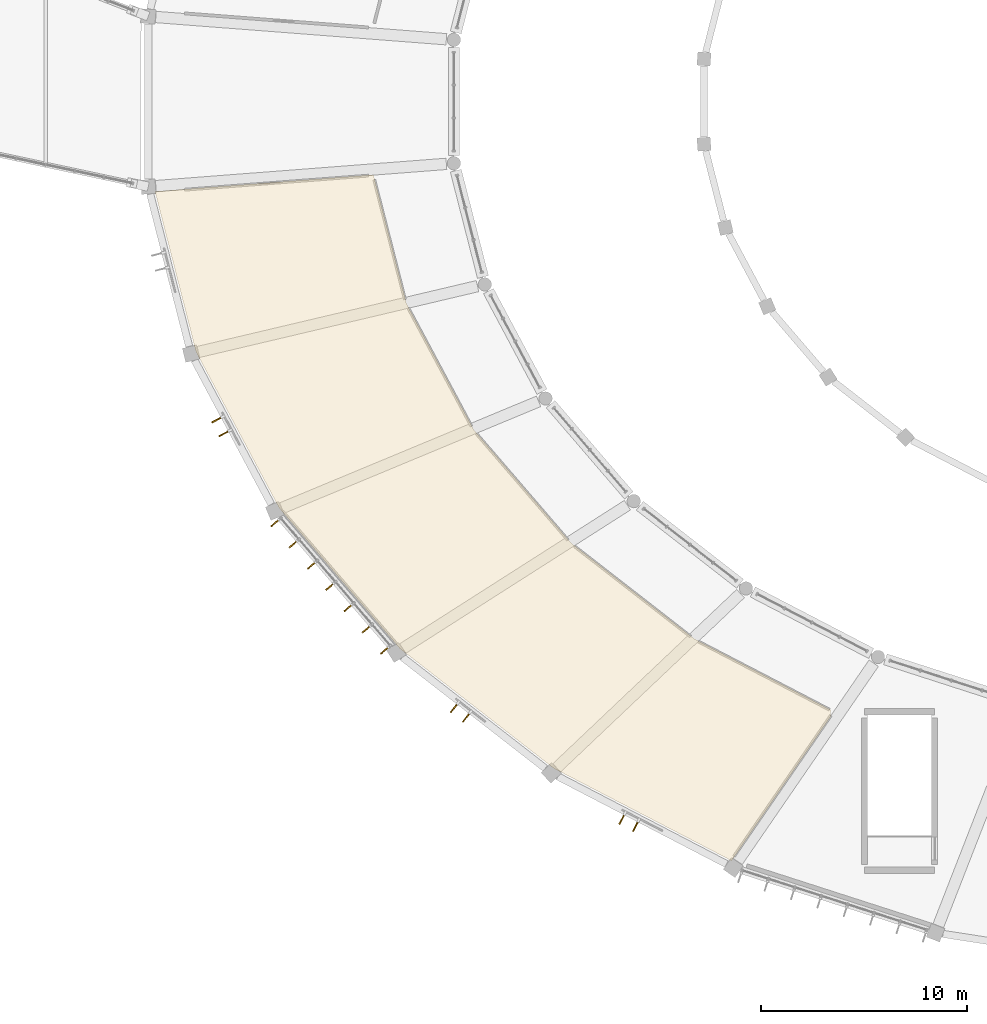
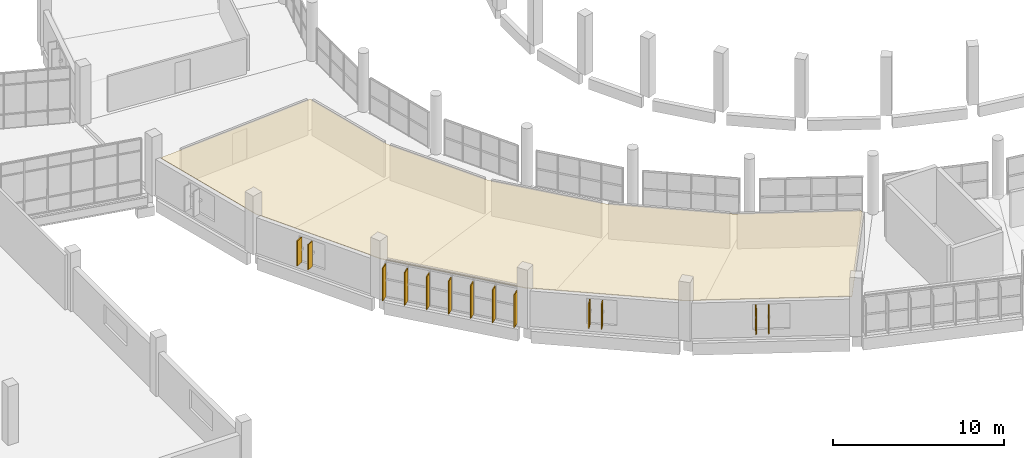
# One storey, part 122 of 142: 13 shading devices, 1 covering.
"""IFC4 building model written with IfcOpenShell, lengths in metres."""

from ifc_helpers import new_model, si_unit, direction, frame, origin, origin_2d, place, context, subcontext, project, spatial, polyline, rectangle, outline, extrude, material, layer, layer_set, type_object, element, save


model = new_model("IFC4")

# Units and contexts
model_context = context("Model", 3, precision=1e-05, world=origin(), true_north=direction((0.0, 1.0)))
body_context = subcontext(model_context, "Body", "Model", "MODEL_VIEW")
ifc_project = project(units=[si_unit("LENGTHUNIT", "METRE"), si_unit("AREAUNIT", "SQUARE_METRE"), si_unit("VOLUMEUNIT", "CUBIC_METRE"), si_unit("PLANEANGLEUNIT", "RADIAN"), si_unit("MASSUNIT", "GRAM", prefix="KILO")], contexts=[model_context])

# Site, building, storey
site_placement = place(None, origin())
site = spatial("IfcSite", under=ifc_project, at=site_placement, CompositionType="ELEMENT")
building_placement = place(site_placement, origin())
building = spatial("IfcBuilding", under=site, at=building_placement, Name="Corvandel Quay Wholesale Market", CompositionType="ELEMENT")
storey_placement = place(building_placement, frame((0.0, 0.0, 10.800048828125)))
storey = spatial("IfcBuildingStorey", under=building, at=storey_placement, Name="L02", CompositionType="ELEMENT", Elevation=10.800048828125)

# Covering
ifc_material_1 = material(Name="Perforated powder-coated aluminium acoustic panel", Category="aluminium")
ifc_layer = layer(ifc_material_1, 0.044921875)
ifc_layer_set = layer_set([ifc_layer], Name="Perforated powder-coated aluminium acoustic panel")
covering_type = type_object("IfcCoveringType", Name="Perforated Acoustic Baffle Ceiling CLG01", PredefinedType="CEILING", material=ifc_layer_set)
covering_placement = place(storey_placement, frame((0.0, 0.0, 2.39990234375)))
element("IfcCovering", 1, at=covering_placement, inside=storey, type_object=covering_type, Name="Suspended Ceiling CLG-007", PredefinedType="CEILING", context=body_context, shape_type="SweptSolid", body=[
    extrude(outline(polyline([(79.718017578125, 9.595947265625), (79.717041015625, 9.596923828125), (72.237060546875, 15.4150390625), (72.235107421875, 15.4169921875), (72.23388671875, 15.41796875), (66.364013671875, 22.251953125), (66.362060546875, 22.25390625), (66.361083984375, 22.256103515625), (62.320068359375, 29.842041015625), (62.319091796875, 29.843994140625), (62.319091796875, 29.845947265625), (60.3349609375, 37.60400390625), (60.333984375, 37.60595703125), (60.333984375, 37.60791015625), (60.333984375, 37.610107421875), (60.333984375, 37.612060546875), (60.3349609375, 37.614013671875), (60.3349609375, 37.615966796875), (60.3359375, 37.616943359375), (60.3369140625, 37.618896484375), (60.337890625, 37.62109375), (60.339111328125, 37.6220703125), (60.340087890625, 37.6240234375), (60.342041015625, 37.625), (60.343017578125, 37.6259765625), (60.344970703125, 37.626953125), (60.346923828125, 37.6279296875), (60.34912109375, 37.6279296875), (60.35107421875, 37.62890625), (60.35205078125, 37.62890625), (70.922119140625, 38.43896484375), (70.924072265625, 38.43896484375), (70.926025390625, 38.43896484375), (70.927978515625, 38.43896484375), (70.929931640625, 38.43798828125), (70.931884765625, 38.43701171875), (70.93408203125, 38.43603515625), (70.93603515625, 38.43505859375), (70.93701171875, 38.43408203125), (70.93896484375, 38.43310546875), (70.93994140625, 38.430908203125), (70.94091796875, 38.428955078125), (70.94189453125, 38.427978515625), (70.943115234375, 38.426025390625), (70.943115234375, 38.424072265625), (72.5439453125, 32.177978515625), (75.821044921875, 26.0380859375), (80.548095703125, 20.5419921875), (86.5390625, 15.885009765625), (93.16796875, 12.43896484375), (93.158935546875, 12.3759765625), (93.14990234375, 12.199951171875), (93.14990234375, 12.1201171875), (88.345947265625, 5.132080078125), (88.344970703125, 5.1298828125), (88.343994140625, 5.12890625), (88.343017578125, 5.126953125), (88.341064453125, 5.1259765625), (88.339111328125, 5.125), (88.337890625, 5.1240234375), (88.3359375, 5.1240234375), (88.333984375, 5.123046875), (88.33203125, 5.123046875), (88.330078125, 5.123046875), (88.327880859375, 5.123046875), (88.325927734375, 5.123046875), (88.323974609375, 5.1240234375), (88.322998046875, 5.1240234375), (88.321044921875, 5.125), (79.719970703125, 9.594970703125), (79.718017578125, 9.595947265625)])), origin(), (0.0, 0.0, 1.0), 0.045166015625),
])

# Shading devices
ifc_material_2 = material(Name="Bronze anodised extruded aluminium 6063-T6", Category="aluminium")
shading_device_type = type_object("IfcShadingDeviceType", Name="Vertical Anodised Bronze Solar Fin FN01 480mm", PredefinedType="JALOUSIE", material=ifc_material_2)
for number, where, z_axis, x_axis, name in (
    (2, (63.299072265625, 26.514892578125, 0.5498046875), (0.0, 0.0, 1.0), (0.882619624736, 0.470087862033, 0.0), "Solar Fin 0058"),
    (3, (63.651611328125, 25.852783203125, 0.5498046875), (0.0, 0.0, 1.0), (0.882619624736, 0.470087862033, 0.0), "Solar Fin 0059"),
):
    element("IfcShadingDevice", number, at=place(storey_placement, frame(where, z_axis=z_axis, x_axis=x_axis)), inside=storey, type_object=shading_device_type, Name=name, PredefinedType="JALOUSIE", context=body_context, shape_type="SweptSolid", body=[
        extrude(rectangle(XDim=0.47998046875, YDim=0.06494140625, at=origin_2d()), origin(), (0.0, 0.0, 1.0), 1.800048828125),
    ])
for number, where, z_axis, x_axis, name in (
    (4, (66.15087890625, 21.51708984375, 0.099853515625), (0.0, 0.0, 1.0), (0.758589401976, 0.651568967347, 0.0), "Solar Fin 0073"),
    (5, (67.0380859375, 20.484375, 0.099853515625), (0.0, 0.0, 1.0), (0.758589401976, 0.651568967347, 0.0), "Solar Fin 0074"),
    (6, (67.925048828125, 19.45166015625, 0.099853515625), (0.0, 0.0, 1.0), (0.758589401976, 0.651568967347, 0.0), "Solar Fin 0075"),
    (7, (68.812255859375, 18.4189453125, 0.099853515625), (0.0, 0.0, 1.0), (0.758589401976, 0.651568967347, 0.0), "Solar Fin 0076"),
    (8, (69.69921875, 17.38623046875, 0.099853515625), (0.0, 0.0, 1.0), (0.758589401976, 0.651568967347, 0.0), "Solar Fin 0077"),
    (9, (70.58642578125, 16.353515625, 0.099853515625), (0.0, 0.0, 1.0), (0.758589401976, 0.651568967347, 0.0), "Solar Fin 0078"),
    (10, (71.473388671875, 15.32080078125, 0.099853515625), (0.0, 0.0, 1.0), (0.758589401976, 0.651568967347, 0.0), "Solar Fin 0079"),
):
    element("IfcShadingDevice", number, at=place(storey_placement, frame(where, z_axis=z_axis, x_axis=x_axis)), inside=storey, type_object=shading_device_type, Name=name, PredefinedType="JALOUSIE", context=body_context, shape_type="SweptSolid", body=[
        extrude(rectangle(XDim=0.47998046875, YDim=0.06494140625, at=origin_2d()), origin(), (0.0, 0.0, 1.0), 2.35009765625),
    ])
for number, where, z_axis, x_axis, name in (
    (11, (74.835693359375, 12.506591796875, 0.5498046875), (0.0, 0.0, 1.0), (0.614009720373, 0.789298462742, 0.0), "Solar Fin 0093"),
    (12, (75.427490234375, 12.046142578125, 0.5498046875), (0.0, 0.0, 1.0), (0.614009720373, 0.789298462742, 0.0), "Solar Fin 0094"),
    (13, (82.9970703125, 7.102783203125, 0.5498046875), (0.0, 0.0, 1.0), (0.461129250378, 0.887332978338, 0.0), "Solar Fin 0110"),
    (14, (83.66259765625, 6.7568359375, 0.5498046875), (0.0, 0.0, 1.0), (0.461129250378, 0.887332978338, 0.0), "Solar Fin 0111"),
):
    element("IfcShadingDevice", number, at=place(storey_placement, frame(where, z_axis=z_axis, x_axis=x_axis)), inside=storey, type_object=shading_device_type, Name=name, PredefinedType="JALOUSIE", context=body_context, shape_type="SweptSolid", body=[
        extrude(rectangle(XDim=0.47998046875, YDim=0.06494140625, at=origin_2d()), origin(), (0.0, 0.0, 1.0), 1.800048828125),
    ])

save(model, "model.ifc")
